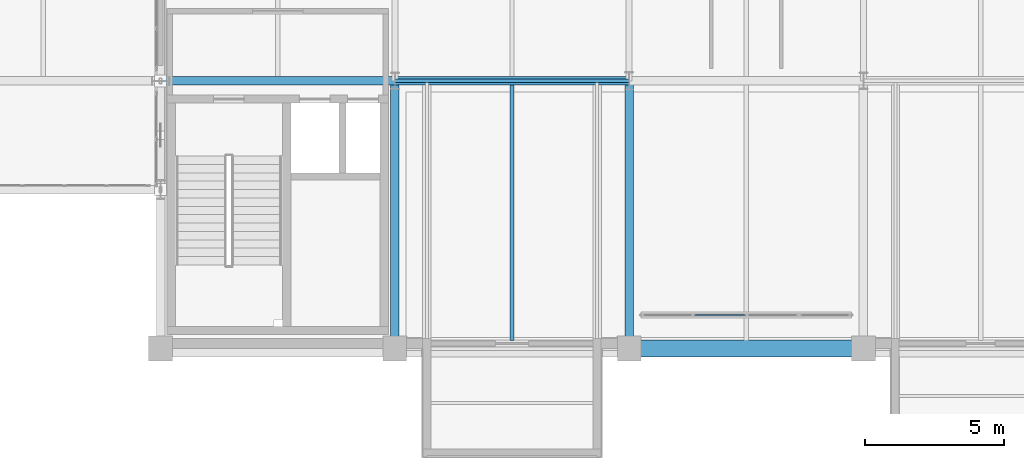
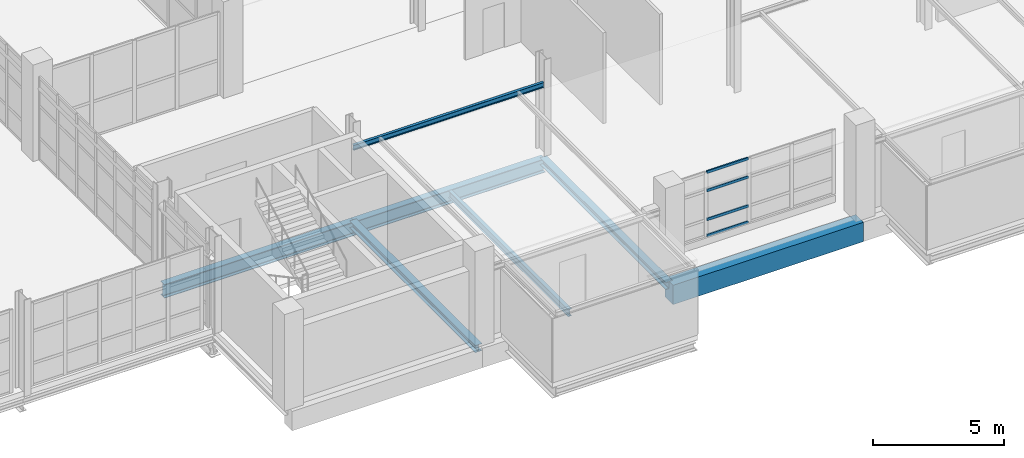
# One storey, part 27 of 130: 7 beams, 4 members, 1 element without a shape of its own.
"""IFC4 building model written with IfcOpenShell, lengths in metres."""

from ifc_helpers import new_model, si_unit, direction, frame, origin, origin_2d, place, context, subcontext, project, spatial, rectangle, hollow_rectangle, i_section, extrude, material, material_profile, profile_set, type_object, element, aggregate, save


model = new_model("IFC4")

# Units and contexts
model_context = context("Model", 3, precision=1e-05, world=origin(), true_north=direction((0.0, 1.0)))
body_context = subcontext(model_context, "Body", "Model", "MODEL_VIEW")
ifc_project = project(units=[si_unit("LENGTHUNIT", "METRE"), si_unit("AREAUNIT", "SQUARE_METRE"), si_unit("VOLUMEUNIT", "CUBIC_METRE"), si_unit("PLANEANGLEUNIT", "RADIAN"), si_unit("MASSUNIT", "GRAM", prefix="KILO")], contexts=[model_context])

# Site, building, storey
site_placement = place(None, origin())
site = spatial("IfcSite", under=ifc_project, at=site_placement, CompositionType="ELEMENT")
building_placement = place(site_placement, origin())
building = spatial("IfcBuilding", under=site, at=building_placement, Name="Veltarok Museum of Natural Sciences", CompositionType="ELEMENT")
storey_placement = place(building_placement, frame((0.0, 0.0, 12.89990234375)))
storey = spatial("IfcBuildingStorey", under=building, at=storey_placement, Name="L02", CompositionType="ELEMENT", Elevation=12.89990234375)

# Beam
ifc_material_1 = material(Name="Steel S355J2", Category="steel")
ifc_material_profile_1 = material_profile(ifc_material_1, i_section(OverallWidth=0.1201171875, OverallDepth=0.239990234375, WebThickness=0.006103515625, FlangeThickness=0.009765625, FilletRadius=0.014892578125, at=origin_2d()), Name="IPE 240")
ifc_profile_set_1 = profile_set([ifc_material_profile_1], Name="Steel S355J2")
beam_type_1 = type_object("IfcBeamType", Name="Cabinet Box Secondary Joist IPE 240", PredefinedType="JOIST", material=ifc_profile_set_1)
beam_1_placement = place(storey_placement, frame((40.0, 9.60009765625, 3.130126953125), z_axis=(1.0, 0.0, 0.0), x_axis=(0.0, 1.0, 0.0)))
element("IfcBeam", 1, at=beam_1_placement, inside=storey, type_object=beam_type_1, Name="Cabinet Roof Tie Beam DB-07-I", PredefinedType="JOIST", context=body_context, shape_type="SweptSolid", body=[
    extrude(i_section(OverallWidth=0.1201171875, OverallDepth=0.239990234375, WebThickness=0.006103515625, FlangeThickness=0.009765625, FilletRadius=0.014892578125, at=origin_2d()), origin(), (0.0, 0.0, 1.0), 8.39990234375),
])

# Curtain wall, members
ifc_material_2 = material(Name="Low-iron triple insulated glass", Category="glass")
curtain_wall_type = type_object("IfcCurtainWallType", Name="Curtain Wall System CW-CAB-L02-A-755x301 (V1 Recessed L02 755x301cm)", PredefinedType="NOTDEFINED", material=ifc_material_2)
curtain_wall_placement = place(storey_placement, origin())
curtain_wall = element("IfcCurtainWall", 2, at=curtain_wall_placement, inside=storey, type_object=curtain_wall_type, Name="Curtain Wall CW-CAB-L02-A-755x301 CW-0003", PredefinedType="NOTDEFINED")
ifc_material_3 = material(Name="Thermally broken anodised aluminium", Category="aluminium")
ifc_material_profile_2 = material_profile(ifc_material_3, hollow_rectangle(XDim=0.06005859375, YDim=0.1201171875, WallThickness=0.0048828125, at=origin_2d()), Name="CW TRANSOM 60x120x5")
ifc_profile_set_2 = profile_set([ifc_material_profile_2], Name="Thermally broken anodised aluminium")
member_type = type_object("IfcMemberType", Name="Curtain Wall Horizontal Transom 60x120x5", PredefinedType="USERDEFINED", material=ifc_profile_set_2)
member_1_placement = place(storey_placement, frame((50.742431640625, 1.199951171875, 0.35009765625), z_axis=(1.0, 0.0, 0.0), x_axis=(0.0, 1.0, 0.0)))
member_1 = element("IfcMember", 3, at=member_1_placement, type_object=member_type, Name="CW-CAB-L02-A-755x301 transom 2.1", ObjectType="TRANSOM", PredefinedType="USERDEFINED", context=body_context, shape_type="SweptSolid", body=[
    extrude(hollow_rectangle(XDim=0.06005859375, YDim=0.1201171875, WallThickness=0.0048828125, at=origin_2d()), origin(), (0.0, 0.0, 1.0), 1.82763671875),
])
member_2_placement = place(storey_placement, frame((50.742431640625, 1.199951171875, 1.10009765625), z_axis=(1.0, 0.0, 0.0), x_axis=(0.0, 1.0, 0.0)))
member_2 = element("IfcMember", 4, at=member_2_placement, type_object=member_type, Name="CW-CAB-L02-A-755x301 transom 2.2", ObjectType="TRANSOM", PredefinedType="USERDEFINED", context=body_context, shape_type="SweptSolid", body=[
    extrude(hollow_rectangle(XDim=0.06005859375, YDim=0.1201171875, WallThickness=0.0048828125, at=origin_2d()), origin(), (0.0, 0.0, 1.0), 1.82763671875),
])
member_3_placement = place(storey_placement, frame((50.742431640625, 1.199951171875, 2.4501953125), z_axis=(1.0, 0.0, 0.0), x_axis=(0.0, 1.0, 0.0)))
member_3 = element("IfcMember", 5, at=member_3_placement, type_object=member_type, Name="CW-CAB-L02-A-755x301 transom 2.3", ObjectType="TRANSOM", PredefinedType="USERDEFINED", context=body_context, shape_type="SweptSolid", body=[
    extrude(hollow_rectangle(XDim=0.06005859375, YDim=0.1201171875, WallThickness=0.0048828125, at=origin_2d()), origin(), (0.0, 0.0, 1.0), 1.82763671875),
])
member_4_placement = place(storey_placement, frame((50.742431640625, 1.199951171875, 3.30517578125), z_axis=(1.0, 0.0, 0.0), x_axis=(0.0, 1.0, 0.0)))
member_4 = element("IfcMember", 6, at=member_4_placement, type_object=member_type, Name="CW-CAB-L02-A-755x301 transom 2.4", ObjectType="TRANSOM", PredefinedType="USERDEFINED", context=body_context, shape_type="SweptSolid", body=[
    extrude(hollow_rectangle(XDim=0.06005859375, YDim=0.1201171875, WallThickness=0.0048828125, at=origin_2d()), origin(), (0.0, 0.0, 1.0), 1.82763671875),
])
aggregate(curtain_wall, [member_1, member_2, member_3, member_4])

# Beams
ifc_material_4 = material(Name="Concrete C40/50", Category="concrete")
ifc_material_profile_3 = material_profile(ifc_material_4, rectangle(XDim=0.60009765625, YDim=0.89990234375, at=origin_2d()), Name="RC 600x900")
ifc_profile_set_3 = profile_set([ifc_material_profile_3], Name="Concrete C40/50")
beam_type_2 = type_object("IfcBeamType", Name="Exposed Cabinet Perimeter Spandrel RC 600x900", PredefinedType="SPANDREL", material=ifc_profile_set_3)
beam_2_placement = place(storey_placement, frame((48.39990234375, 0.0, -0.699951171875), z_axis=(1.0, 0.0, 0.0), x_axis=(0.0, 1.0, 0.0)))
element("IfcBeam", 7, at=beam_2_placement, inside=storey, type_object=beam_type_2, Name="Beam BM-SP01 L02 6-7/A", PredefinedType="SPANDREL", context=body_context, shape_type="SweptSolid", body=[
    extrude(rectangle(XDim=0.60009765625, YDim=0.89990234375, at=origin_2d()), origin(), (0.0, 0.0, 1.0), 8.400146484375),
])
ifc_material_profile_4 = material_profile(ifc_material_1, i_section(OverallWidth=0.300048828125, OverallDepth=0.639892578125, WebThickness=0.013427734375, FlangeThickness=0.02587890625, FilletRadius=0.027099609375, at=origin_2d()), Name="HEA 650")
ifc_profile_set_4 = profile_set([ifc_material_profile_4], Name="Steel S355J2")
beam_type_3 = type_object("IfcBeamType", Name="Heavy Exhibition Girder HEA 650", PredefinedType="BEAM", material=ifc_profile_set_4)
for number, where, z_axis, x_axis, name in (
    (8, (31.60009765625, 9.60009765625, -0.56982421875), (1.0, 0.0, 0.0), (0.0, 1.0, 0.0), "Beam BM-G08 L02 4-5/B"),
    (9, (40.0, 9.60009765625, -0.56982421875), (1.0, 0.0, 0.0), (0.0, 1.0, 0.0), "Beam BM-G08 L02 5-6/B"),
):
    element("IfcBeam", number, at=place(storey_placement, frame(where, z_axis=z_axis, x_axis=x_axis)), inside=storey, type_object=beam_type_3, Name=name, PredefinedType="BEAM", context=body_context, shape_type="SweptSolid", body=[
        extrude(i_section(OverallWidth=0.300048828125, OverallDepth=0.639892578125, WebThickness=0.013427734375, FlangeThickness=0.02587890625, FilletRadius=0.027099609375, at=origin_2d()), origin(), (0.0, 0.0, 1.0), 8.39990234375),
    ])
ifc_material_profile_5 = material_profile(ifc_material_1, i_section(OverallWidth=0.159912109375, OverallDepth=0.330078125, WebThickness=0.007568359375, FlangeThickness=0.011474609375, FilletRadius=0.01806640625, at=origin_2d()), Name="IPE 330")
ifc_profile_set_5 = profile_set([ifc_material_profile_5], Name="Steel S355J2")
beam_type_4 = type_object("IfcBeamType", Name="Medium-Bay Composite Joist IPE 330", PredefinedType="JOIST", material=ifc_profile_set_5)
beam_3_placement = place(storey_placement, frame((44.199951171875, 0.298095703125, -0.414794921875), z_axis=(0.0, 1.0, 0.0), x_axis=(-1.0, 0.0, 0.0)))
element("IfcBeam", 10, at=beam_3_placement, inside=storey, type_object=beam_type_4, Name="Secondary Joist BM-J02 L02 5-6/A-B.1", PredefinedType="JOIST", context=body_context, shape_type="SweptSolid", body=[
    extrude(i_section(OverallWidth=0.159912109375, OverallDepth=0.330078125, WebThickness=0.007568359375, FlangeThickness=0.011474609375, FilletRadius=0.01806640625, at=origin_2d()), origin(), (0.0, 0.0, 1.0), 9.15380859375),
])
ifc_material_profile_6 = material_profile(ifc_material_1, i_section(OverallWidth=0.300048828125, OverallDepth=0.330078125, WebThickness=0.009521484375, FlangeThickness=0.0166015625, FilletRadius=0.027099609375, at=origin_2d()), Name="HEA 340")
ifc_profile_set_6 = profile_set([ifc_material_profile_6], Name="Steel S355J2")
beam_type_5 = type_object("IfcBeamType", Name="Perimeter Upper Spandrel HEA 340", PredefinedType="SPANDREL", material=ifc_profile_set_6)
for number, where, z_axis, x_axis, name in (
    (11, (40.0, 0.0, -0.414794921875), (0.0, 1.0, 0.0), (-1.0, 0.0, 0.0), "Beam BM-SP05 L02 5/A-B"),
    (12, (48.39990234375, 0.0, -0.414794921875), (0.0, 1.0, 0.0), (-1.0, 0.0, 0.0), "Beam BM-SP05 L02 6/A-B"),
):
    element("IfcBeam", number, at=place(storey_placement, frame(where, z_axis=z_axis, x_axis=x_axis)), inside=storey, type_object=beam_type_5, Name=name, PredefinedType="SPANDREL", context=body_context, shape_type="SweptSolid", body=[
        extrude(i_section(OverallWidth=0.300048828125, OverallDepth=0.330078125, WebThickness=0.009521484375, FlangeThickness=0.0166015625, FilletRadius=0.027099609375, at=origin_2d()), origin(), (0.0, 0.0, 1.0), 9.60009765625),
    ])

save(model, "model.ifc")
